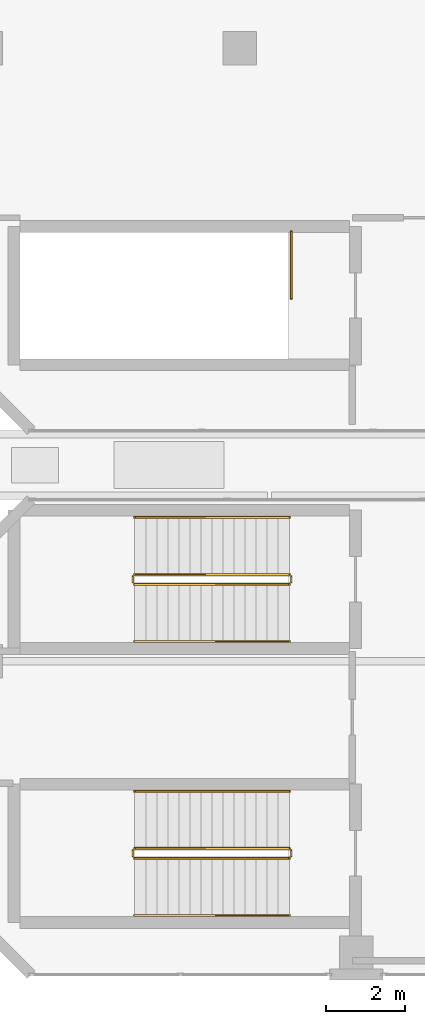
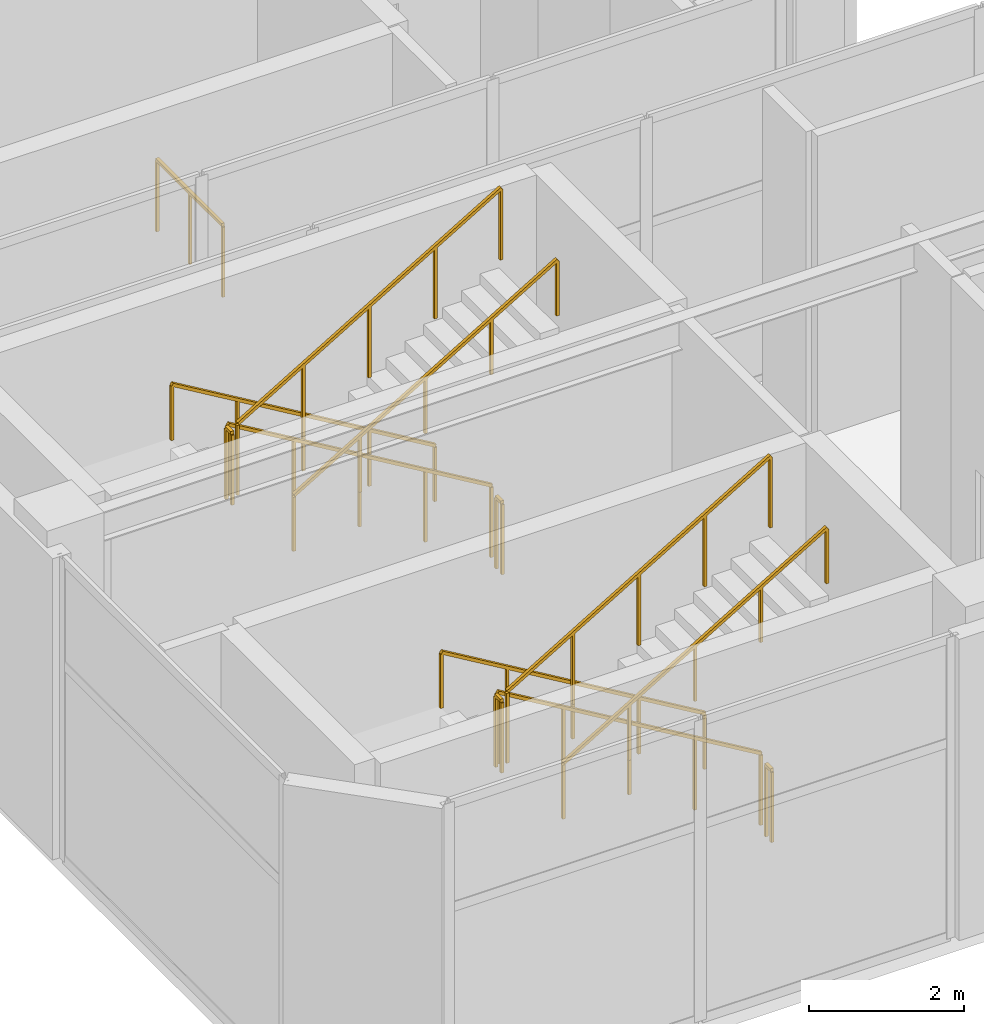
# One storey, part 18 of 18: 13 railings.
"""IFC4 building model written with IfcOpenShell, lengths in metres."""

from ifc_helpers import new_model, si_unit, direction, frame, origin, origin_2d, place, context, subcontext, project, spatial, rectangle, extrude, material, type_object, element, save


model = new_model("IFC4")

# Units and contexts
model_context = context("Model", 3, precision=1e-05, world=origin(), true_north=direction((0.0, 1.0)))
body_context = subcontext(model_context, "Body", "Model", "MODEL_VIEW")
ifc_project = project(units=[si_unit("LENGTHUNIT", "METRE"), si_unit("AREAUNIT", "SQUARE_METRE"), si_unit("VOLUMEUNIT", "CUBIC_METRE"), si_unit("PLANEANGLEUNIT", "RADIAN"), si_unit("MASSUNIT", "GRAM", prefix="KILO")], contexts=[model_context])

# Site, building, storey
site_placement = place(None, origin())
site = spatial("IfcSite", under=ifc_project, at=site_placement, CompositionType="ELEMENT")
building_placement = place(site_placement, origin())
building = spatial("IfcBuilding", under=site, at=building_placement, Name="Mawjaban Terraces University", CompositionType="ELEMENT")
storey_placement = place(building_placement, frame((0.0, 0.0, 316.699951171875)))
storey = spatial("IfcBuildingStorey", under=building, at=storey_placement, Name="L77", CompositionType="ELEMENT", Elevation=316.699951171875)

# Railings
ifc_material_1 = material(Name="Brushed stainless steel 316", Category="steel")
railing_type_1 = type_object("IfcRailingType", Name="StairWallHandrail_900", PredefinedType="HANDRAIL", material=ifc_material_1)
railing_1_placement = place(storey_placement, frame((30.050048828125, 4.64990234375, 0.166748046875)))
element("IfcRailing", 1, at=railing_1_placement, inside=storey, type_object=railing_type_1, Name="L77 ST-1 stair handrail 1", PredefinedType="HANDRAIL", context=body_context, shape_type="SweptSolid", body=[
    extrude(rectangle(XDim=0.048095703125, YDim=0.048095703125, at=origin_2d()), frame((0.0, 0.0, 0.8759765625), z_axis=(-0.859310244771, 0.0, 0.511454693235), x_axis=(0.0, -1.0, 0.0)), (0.0, 0.0, 1.0), 4.56201171875),
    extrude(rectangle(XDim=0.0419921875, YDim=0.0419921875, at=origin_2d()), origin(), (0.0, 0.0, 1.0), 0.851806640625),
    extrude(rectangle(XDim=0.0419921875, YDim=0.0419921875, at=origin_2d()), frame((-0.97998046875, 0.0, 0.583251953125)), (0.0, 0.0, 1.0), 0.851806640625),
    extrude(rectangle(XDim=0.0419921875, YDim=0.0419921875, at=origin_2d()), frame((-1.9599609375, 0.0, 1.16650390625)), (0.0, 0.0, 1.0), 0.851806640625),
    extrude(rectangle(XDim=0.0419921875, YDim=0.0419921875, at=origin_2d()), frame((-2.940185546875, 0.0, 1.75)), (0.0, 0.0, 1.0), 0.851806640625),
    extrude(rectangle(XDim=0.0419921875, YDim=0.0419921875, at=origin_2d()), frame((-3.920166015625, 0.0, 2.333251953125)), (0.0, 0.0, 1.0), 0.851806640625),
])
railing_2_placement = place(storey_placement, frame((26.1298828125, 1.5, 2.666748046875)))
element("IfcRailing", 2, at=railing_2_placement, inside=storey, type_object=railing_type_1, Name="L77 ST-1 stair handrail 2", PredefinedType="HANDRAIL", context=body_context, shape_type="SweptSolid", body=[
    extrude(rectangle(XDim=0.048095703125, YDim=0.048095703125, at=origin_2d()), frame((0.0, 0.0, 0.8759765625), z_axis=(0.859310244771, 0.0, 0.511454693235), x_axis=(0.0, 1.0, 0.0)), (0.0, 0.0, 1.0), 4.56201171875),
    extrude(rectangle(XDim=0.0419921875, YDim=0.0419921875, at=origin_2d()), origin(), (0.0, 0.0, 1.0), 0.851806640625),
    extrude(rectangle(XDim=0.0419921875, YDim=0.0419921875, at=origin_2d()), frame((0.97998046875, 0.0, 0.583251953125)), (0.0, 0.0, 1.0), 0.851806640625),
    extrude(rectangle(XDim=0.0419921875, YDim=0.0419921875, at=origin_2d()), frame((1.9599609375, 0.0, 1.16650390625)), (0.0, 0.0, 1.0), 0.851806640625),
    extrude(rectangle(XDim=0.0419921875, YDim=0.0419921875, at=origin_2d()), frame((2.940185546875, 0.0, 1.75)), (0.0, 0.0, 1.0), 0.851806640625),
    extrude(rectangle(XDim=0.0419921875, YDim=0.0419921875, at=origin_2d()), frame((3.920166015625, 0.0, 2.333251953125)), (0.0, 0.0, 1.0), 0.851806640625),
])
railing_3_placement = place(storey_placement, frame((30.050048828125, 11.60009765625, 0.166748046875)))
element("IfcRailing", 3, at=railing_3_placement, inside=storey, type_object=railing_type_1, Name="L77 ST-3 stair handrail 1", PredefinedType="HANDRAIL", context=body_context, shape_type="SweptSolid", body=[
    extrude(rectangle(XDim=0.048095703125, YDim=0.048095703125, at=origin_2d()), frame((0.0, 0.0, 0.8759765625), z_axis=(-0.859310244771, 0.0, 0.511454693235), x_axis=(0.0, -1.0, 0.0)), (0.0, 0.0, 1.0), 4.56201171875),
    extrude(rectangle(XDim=0.0419921875, YDim=0.0419921875, at=origin_2d()), origin(), (0.0, 0.0, 1.0), 0.851806640625),
    extrude(rectangle(XDim=0.0419921875, YDim=0.0419921875, at=origin_2d()), frame((-0.97998046875, 0.0, 0.583251953125)), (0.0, 0.0, 1.0), 0.851806640625),
    extrude(rectangle(XDim=0.0419921875, YDim=0.0419921875, at=origin_2d()), frame((-1.9599609375, 0.0, 1.16650390625)), (0.0, 0.0, 1.0), 0.851806640625),
    extrude(rectangle(XDim=0.0419921875, YDim=0.0419921875, at=origin_2d()), frame((-2.940185546875, 0.0, 1.75)), (0.0, 0.0, 1.0), 0.851806640625),
    extrude(rectangle(XDim=0.0419921875, YDim=0.0419921875, at=origin_2d()), frame((-3.920166015625, 0.0, 2.333251953125)), (0.0, 0.0, 1.0), 0.851806640625),
])
railing_4_placement = place(storey_placement, frame((26.1298828125, 8.449951171875, 2.666748046875)))
element("IfcRailing", 4, at=railing_4_placement, inside=storey, type_object=railing_type_1, Name="L77 ST-3 stair handrail 2", PredefinedType="HANDRAIL", context=body_context, shape_type="SweptSolid", body=[
    extrude(rectangle(XDim=0.048095703125, YDim=0.048095703125, at=origin_2d()), frame((0.0, 0.0, 0.8759765625), z_axis=(0.859310244771, 0.0, 0.511454693235), x_axis=(0.0, 1.0, 0.0)), (0.0, 0.0, 1.0), 4.56201171875),
    extrude(rectangle(XDim=0.0419921875, YDim=0.0419921875, at=origin_2d()), origin(), (0.0, 0.0, 1.0), 0.851806640625),
    extrude(rectangle(XDim=0.0419921875, YDim=0.0419921875, at=origin_2d()), frame((0.97998046875, 0.0, 0.583251953125)), (0.0, 0.0, 1.0), 0.851806640625),
    extrude(rectangle(XDim=0.0419921875, YDim=0.0419921875, at=origin_2d()), frame((1.9599609375, 0.0, 1.16650390625)), (0.0, 0.0, 1.0), 0.851806640625),
    extrude(rectangle(XDim=0.0419921875, YDim=0.0419921875, at=origin_2d()), frame((2.940185546875, 0.0, 1.75)), (0.0, 0.0, 1.0), 0.851806640625),
    extrude(rectangle(XDim=0.0419921875, YDim=0.0419921875, at=origin_2d()), frame((3.920166015625, 0.0, 2.333251953125)), (0.0, 0.0, 1.0), 0.851806640625),
])
ifc_material_2 = material(Name="Galvanised painted steel S355", Category="steel")
railing_type_2 = type_object("IfcRailingType", Name="StairWellGuard_1150", PredefinedType="BALUSTRADE", material=ifc_material_2)
railing_5_placement = place(storey_placement, frame((30.050048828125, 3.199951171875, 0.166748046875)))
element("IfcRailing", 5, at=railing_5_placement, inside=storey, type_object=railing_type_2, Name="L77 ST-1 stair guard 1", PredefinedType="BALUSTRADE", context=body_context, shape_type="SweptSolid", body=[
    extrude(rectangle(XDim=0.048095703125, YDim=0.048095703125, at=origin_2d()), frame((0.0, 0.0, 1.1259765625), z_axis=(-0.859310244771, 0.0, 0.511454693235), x_axis=(0.0, -1.0, 0.0)), (0.0, 0.0, 1.0), 4.56201171875),
    extrude(rectangle(XDim=0.0419921875, YDim=0.0419921875, at=origin_2d()), origin(), (0.0, 0.0, 1.0), 1.101806640625),
    extrude(rectangle(XDim=0.0419921875, YDim=0.0419921875, at=origin_2d()), frame((-0.97998046875, 0.0, 0.583251953125)), (0.0, 0.0, 1.0), 1.101806640625),
    extrude(rectangle(XDim=0.0419921875, YDim=0.0419921875, at=origin_2d()), frame((-1.9599609375, 0.0, 1.16650390625)), (0.0, 0.0, 1.0), 1.101806640625),
    extrude(rectangle(XDim=0.0419921875, YDim=0.0419921875, at=origin_2d()), frame((-2.940185546875, 0.0, 1.75)), (0.0, 0.0, 1.0), 1.101806640625),
    extrude(rectangle(XDim=0.0419921875, YDim=0.0419921875, at=origin_2d()), frame((-3.920166015625, 0.0, 2.333251953125)), (0.0, 0.0, 1.0), 1.101806640625),
])
railing_6_placement = place(storey_placement, frame((26.080078125, 3.14990234375, 2.5)))
element("IfcRailing", 6, at=railing_6_placement, inside=storey, type_object=railing_type_2, Name="L77 ST-1 stair guard 2", PredefinedType="BALUSTRADE", context=body_context, shape_type="SweptSolid", body=[
    extrude(rectangle(XDim=0.048095703125, YDim=0.048095703125, at=origin_2d()), frame((0.0, 0.0, 1.1259765625), z_axis=(0.0, -1.0, 0.0), x_axis=(1.0, 0.0, 0.0)), (0.0, 0.0, 1.0), 0.14990234375),
    extrude(rectangle(XDim=0.0419921875, YDim=0.0419921875, at=origin_2d()), origin(), (0.0, 0.0, 1.0), 1.101806640625),
    extrude(rectangle(XDim=0.0419921875, YDim=0.0419921875, at=origin_2d()), frame((0.0, -0.14990234375, 0.0)), (0.0, 0.0, 1.0), 1.101806640625),
])
railing_7_placement = place(storey_placement, frame((26.1298828125, 2.949951171875, 2.666748046875)))
element("IfcRailing", 7, at=railing_7_placement, inside=storey, type_object=railing_type_2, Name="L77 ST-1 stair guard 3", PredefinedType="BALUSTRADE", context=body_context, shape_type="SweptSolid", body=[
    extrude(rectangle(XDim=0.048095703125, YDim=0.048095703125, at=origin_2d()), frame((0.0, 0.0, 1.1259765625), z_axis=(0.859310244771, 0.0, 0.511454693235), x_axis=(0.0, 1.0, 0.0)), (0.0, 0.0, 1.0), 4.56201171875),
    extrude(rectangle(XDim=0.0419921875, YDim=0.0419921875, at=origin_2d()), origin(), (0.0, 0.0, 1.0), 1.101806640625),
    extrude(rectangle(XDim=0.0419921875, YDim=0.0419921875, at=origin_2d()), frame((0.97998046875, 0.0, 0.583251953125)), (0.0, 0.0, 1.0), 1.101806640625),
    extrude(rectangle(XDim=0.0419921875, YDim=0.0419921875, at=origin_2d()), frame((1.9599609375, 0.0, 1.16650390625)), (0.0, 0.0, 1.0), 1.101806640625),
    extrude(rectangle(XDim=0.0419921875, YDim=0.0419921875, at=origin_2d()), frame((2.940185546875, 0.0, 1.75)), (0.0, 0.0, 1.0), 1.101806640625),
    extrude(rectangle(XDim=0.0419921875, YDim=0.0419921875, at=origin_2d()), frame((3.920166015625, 0.0, 2.333251953125)), (0.0, 0.0, 1.0), 1.101806640625),
])
railing_8_placement = place(storey_placement, frame((30.10009765625, 3.14990234375, 0.0)))
element("IfcRailing", 8, at=railing_8_placement, inside=storey, type_object=railing_type_2, Name="L77 ST-1 stair guard 4", PredefinedType="BALUSTRADE", context=body_context, shape_type="SweptSolid", body=[
    extrude(rectangle(XDim=0.048095703125, YDim=0.048095703125, at=origin_2d()), frame((0.0, 0.0, 1.1259765625), z_axis=(0.0, -1.0, 0.0), x_axis=(1.0, 0.0, 0.0)), (0.0, 0.0, 1.0), 0.14990234375),
    extrude(rectangle(XDim=0.0419921875, YDim=0.0419921875, at=origin_2d()), origin(), (0.0, 0.0, 1.0), 1.101806640625),
    extrude(rectangle(XDim=0.0419921875, YDim=0.0419921875, at=origin_2d()), frame((0.0, -0.14990234375, 0.0)), (0.0, 0.0, 1.0), 1.101806640625),
])
railing_9_placement = place(storey_placement, frame((30.10009765625, 18.85009765625, 0.0)))
element("IfcRailing", 9, at=railing_9_placement, inside=storey, type_object=railing_type_2, Name="L77 ST-2 top well guard 1", PredefinedType="BALUSTRADE", context=body_context, shape_type="SweptSolid", body=[
    extrude(rectangle(XDim=0.048095703125, YDim=0.048095703125, at=origin_2d()), frame((0.0, 0.0, 1.1259765625), z_axis=(0.0, -1.0, 0.0), x_axis=(1.0, 0.0, 0.0)), (0.0, 0.0, 1.0), 1.7001953125),
    extrude(rectangle(XDim=0.0419921875, YDim=0.0419921875, at=origin_2d()), origin(), (0.0, 0.0, 1.0), 1.101806640625),
    extrude(rectangle(XDim=0.0419921875, YDim=0.0419921875, at=origin_2d()), frame((0.0, -0.85009765625, 0.0)), (0.0, 0.0, 1.0), 1.101806640625),
    extrude(rectangle(XDim=0.0419921875, YDim=0.0419921875, at=origin_2d()), frame((0.0, -1.7001953125, 0.0)), (0.0, 0.0, 1.0), 1.101806640625),
])
railing_10_placement = place(storey_placement, frame((30.050048828125, 10.14990234375, 0.166748046875)))
element("IfcRailing", 10, at=railing_10_placement, inside=storey, type_object=railing_type_2, Name="L77 ST-3 stair guard 1", PredefinedType="BALUSTRADE", context=body_context, shape_type="SweptSolid", body=[
    extrude(rectangle(XDim=0.048095703125, YDim=0.048095703125, at=origin_2d()), frame((0.0, 0.0, 1.1259765625), z_axis=(-0.859310244771, 0.0, 0.511454693235), x_axis=(0.0, -1.0, 0.0)), (0.0, 0.0, 1.0), 4.56201171875),
    extrude(rectangle(XDim=0.0419921875, YDim=0.0419921875, at=origin_2d()), origin(), (0.0, 0.0, 1.0), 1.101806640625),
    extrude(rectangle(XDim=0.0419921875, YDim=0.0419921875, at=origin_2d()), frame((-0.97998046875, 0.0, 0.583251953125)), (0.0, 0.0, 1.0), 1.101806640625),
    extrude(rectangle(XDim=0.0419921875, YDim=0.0419921875, at=origin_2d()), frame((-1.9599609375, 0.0, 1.16650390625)), (0.0, 0.0, 1.0), 1.101806640625),
    extrude(rectangle(XDim=0.0419921875, YDim=0.0419921875, at=origin_2d()), frame((-2.940185546875, 0.0, 1.75)), (0.0, 0.0, 1.0), 1.101806640625),
    extrude(rectangle(XDim=0.0419921875, YDim=0.0419921875, at=origin_2d()), frame((-3.920166015625, 0.0, 2.333251953125)), (0.0, 0.0, 1.0), 1.101806640625),
])
railing_11_placement = place(storey_placement, frame((26.080078125, 10.10009765625, 2.5)))
element("IfcRailing", 11, at=railing_11_placement, inside=storey, type_object=railing_type_2, Name="L77 ST-3 stair guard 2", PredefinedType="BALUSTRADE", context=body_context, shape_type="SweptSolid", body=[
    extrude(rectangle(XDim=0.048095703125, YDim=0.048095703125, at=origin_2d()), frame((0.0, 0.0, 1.1259765625), z_axis=(0.0, -1.0, 0.0), x_axis=(1.0, 0.0, 0.0)), (0.0, 0.0, 1.0), 0.150146484375),
    extrude(rectangle(XDim=0.0419921875, YDim=0.0419921875, at=origin_2d()), origin(), (0.0, 0.0, 1.0), 1.101806640625),
    extrude(rectangle(XDim=0.0419921875, YDim=0.0419921875, at=origin_2d()), frame((0.0, -0.150146484375, 0.0)), (0.0, 0.0, 1.0), 1.101806640625),
])
railing_12_placement = place(storey_placement, frame((26.1298828125, 9.89990234375, 2.666748046875)))
element("IfcRailing", 12, at=railing_12_placement, inside=storey, type_object=railing_type_2, Name="L77 ST-3 stair guard 3", PredefinedType="BALUSTRADE", context=body_context, shape_type="SweptSolid", body=[
    extrude(rectangle(XDim=0.048095703125, YDim=0.048095703125, at=origin_2d()), frame((0.0, 0.0, 1.1259765625), z_axis=(0.859310244771, 0.0, 0.511454693235), x_axis=(0.0, 1.0, 0.0)), (0.0, 0.0, 1.0), 4.56201171875),
    extrude(rectangle(XDim=0.0419921875, YDim=0.0419921875, at=origin_2d()), origin(), (0.0, 0.0, 1.0), 1.101806640625),
    extrude(rectangle(XDim=0.0419921875, YDim=0.0419921875, at=origin_2d()), frame((0.97998046875, 0.0, 0.583251953125)), (0.0, 0.0, 1.0), 1.101806640625),
    extrude(rectangle(XDim=0.0419921875, YDim=0.0419921875, at=origin_2d()), frame((1.9599609375, 0.0, 1.16650390625)), (0.0, 0.0, 1.0), 1.101806640625),
    extrude(rectangle(XDim=0.0419921875, YDim=0.0419921875, at=origin_2d()), frame((2.940185546875, 0.0, 1.75)), (0.0, 0.0, 1.0), 1.101806640625),
    extrude(rectangle(XDim=0.0419921875, YDim=0.0419921875, at=origin_2d()), frame((3.920166015625, 0.0, 2.333251953125)), (0.0, 0.0, 1.0), 1.101806640625),
])
railing_13_placement = place(storey_placement, frame((30.10009765625, 10.10009765625, 0.0)))
element("IfcRailing", 13, at=railing_13_placement, inside=storey, type_object=railing_type_2, Name="L77 ST-3 stair guard 4", PredefinedType="BALUSTRADE", context=body_context, shape_type="SweptSolid", body=[
    extrude(rectangle(XDim=0.048095703125, YDim=0.048095703125, at=origin_2d()), frame((0.0, 0.0, 1.1259765625), z_axis=(0.0, -1.0, 0.0), x_axis=(1.0, 0.0, 0.0)), (0.0, 0.0, 1.0), 0.150146484375),
    extrude(rectangle(XDim=0.0419921875, YDim=0.0419921875, at=origin_2d()), origin(), (0.0, 0.0, 1.0), 1.101806640625),
    extrude(rectangle(XDim=0.0419921875, YDim=0.0419921875, at=origin_2d()), frame((0.0, -0.150146484375, 0.0)), (0.0, 0.0, 1.0), 1.101806640625),
])

save(model, "model.ifc")
